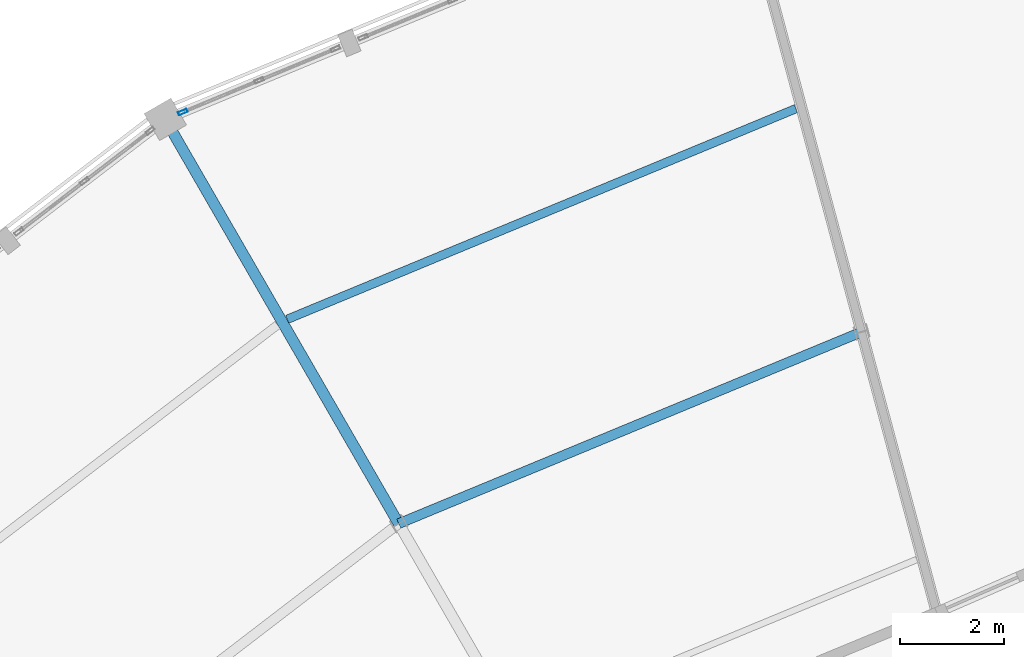
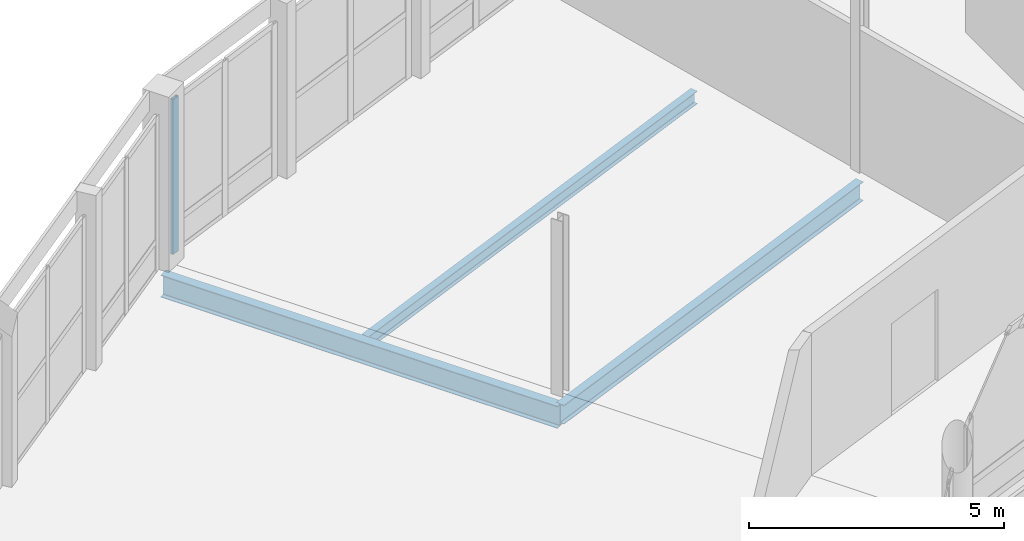
# One storey, part 86 of 185: 3 beams, 1 member, 1 element without a shape of its own.
"""IFC4 building model written with IfcOpenShell, lengths in metres."""

from ifc_helpers import new_model, si_unit, direction, frame, origin, origin_2d, place, context, subcontext, project, spatial, hollow_rectangle, i_section, extrude, material, material_profile, profile_set, type_object, element, aggregate, save


model = new_model("IFC4")

# Units and contexts
model_context = context("Model", 3, precision=1e-05, world=origin(), true_north=direction((0.0, 1.0)))
body_context = subcontext(model_context, "Body", "Model", "MODEL_VIEW")
ifc_project = project(units=[si_unit("LENGTHUNIT", "METRE"), si_unit("AREAUNIT", "SQUARE_METRE"), si_unit("VOLUMEUNIT", "CUBIC_METRE"), si_unit("PLANEANGLEUNIT", "RADIAN"), si_unit("MASSUNIT", "GRAM", prefix="KILO")], contexts=[model_context])

# Site, building, storey
site_placement = place(None, origin())
site = spatial("IfcSite", under=ifc_project, at=site_placement, CompositionType="ELEMENT")
building_placement = place(site_placement, origin())
building = spatial("IfcBuilding", under=site, at=building_placement, Name="Vondelvale Polytechnic", CompositionType="ELEMENT")
storey_placement = place(building_placement, frame((0.0, 0.0, 9.60009765625)))
storey = spatial("IfcBuildingStorey", under=building, at=storey_placement, Name="L02", CompositionType="ELEMENT", Elevation=9.60009765625)

# Beams
ifc_material_1 = material(Name="Steel 300PLUS (fy = 300 MPa)", Category="steel")
ifc_material_profile_1 = material_profile(ifc_material_1, i_section(OverallWidth=0.18994140625, OverallDepth=0.4541015625, WebThickness=0.008544921875, FlangeThickness=0.0126953125, FilletRadius=0.011474609375, at=origin_2d()), Name="460UB67.1")
ifc_profile_set_1 = profile_set([ifc_material_profile_1], Name="Steel 300PLUS (fy = 300 MPa)")
beam_type_1 = type_object("IfcBeamType", Name="BM-UB460L", PredefinedType="BEAM", material=ifc_profile_set_1)
beam_1_placement = place(storey_placement, frame((92.423583984375, 107.7392578125, -0.507080078125), z_axis=(-0.923878816854, -0.38268516011, 0.0), x_axis=(0.38268516011, -0.923878816854, 0.0)))
element("IfcBeam", 1, at=beam_1_placement, inside=storey, type_object=beam_type_1, Name="L02 RB B-22", PredefinedType="BEAM", context=body_context, shape_type="SweptSolid", body=[
    extrude(i_section(OverallWidth=0.18994140625, OverallDepth=0.4541015625, WebThickness=0.008544921875, FlangeThickness=0.0126953125, FilletRadius=0.011474609375, at=origin_2d()), origin(), (0.0, 0.0, 1.0), 9.658935546875),
])
ifc_material_profile_2 = material_profile(ifc_material_1, i_section(OverallWidth=0.208984375, OverallDepth=0.532958984375, WebThickness=0.01025390625, FlangeThickness=0.015625, FilletRadius=0.013916015625, at=origin_2d()), Name="530UB92.4")
ifc_profile_set_2 = profile_set([ifc_material_profile_2], Name="Steel 300PLUS (fy = 300 MPa)")
beam_type_2 = type_object("IfcBeamType", Name="BM-UB530", PredefinedType="BEAM", material=ifc_profile_set_2)
beam_2_placement = place(storey_placement, frame((83.5, 104.04296875, -0.546630859375), z_axis=(-0.5000018851, 0.866024315419, 0.0), x_axis=(-0.866024315419, -0.5000018851, 0.0)))
element("IfcBeam", 2, at=beam_2_placement, inside=storey, type_object=beam_type_2, Name="L02 RG B-11", PredefinedType="BEAM", context=body_context, shape_type="SweptSolid", body=[
    extrude(i_section(OverallWidth=0.208984375, OverallDepth=0.532958984375, WebThickness=0.01025390625, FlangeThickness=0.015625, FilletRadius=0.013916015625, at=origin_2d()), origin(), (0.0, 0.0, 1.0), 9.0),
])

# Curtain wall, member
ifc_material_2 = material(Name="Glulam GL18 structural Tasmanian oak (fb = 42 MPa)", Category="wood")
curtain_wall_type = type_object("IfcCurtainWallType", Name="CW-RING-OUTER", PredefinedType="NOTDEFINED", material=ifc_material_2)
curtain_wall_placement = place(storey_placement, origin())
curtain_wall = element("IfcCurtainWall", 3, at=curtain_wall_placement, inside=storey, type_object=curtain_wall_type, Name="L02 architectural curtain wall CW-04-182", PredefinedType="NOTDEFINED")
ifc_material_3 = material(Name="Anodised extruded aluminium 6063-T6", Category="aluminium")
ifc_material_profile_3 = material_profile(ifc_material_3, hollow_rectangle(XDim=0.06494140625, YDim=0.179931640625, WallThickness=0.00390625, at=origin_2d()), Name="CW-MUL-180x65")
ifc_profile_set_3 = profile_set([ifc_material_profile_3], Name="Anodised extruded aluminium 6063-T6")
member_type = type_object("IfcMemberType", Name="CW-MUL-65x180", PredefinedType="MULLION", material=ifc_profile_set_3)
member_placement = place(storey_placement, frame((79.33740234375, 111.97705078125, 0.0), z_axis=(0.0, 0.0, 1.0), x_axis=(0.382677394529, -0.923882033442, 0.0)))
member = element("IfcMember", 4, at=member_placement, type_object=member_type, Name="CW-04-182 mullion 3", PredefinedType="MULLION", context=body_context, shape_type="SweptSolid", body=[
    extrude(hollow_rectangle(XDim=0.06494140625, YDim=0.179931640625, WallThickness=0.00390625, at=origin_2d()), origin(), (0.0, 0.0, 1.0), 3.719970703125),
])
aggregate(curtain_wall, [member])

# Beam
ifc_material_profile_4 = material_profile(ifc_material_1, i_section(OverallWidth=0.1650390625, OverallDepth=0.303955078125, WebThickness=0.006103515625, FlangeThickness=0.01025390625, FilletRadius=0.011474609375, at=origin_2d()), Name="310UB40.4")
ifc_profile_set_4 = profile_set([ifc_material_profile_4], Name="Steel 300PLUS (fy = 300 MPa)")
beam_type_3 = type_object("IfcBeamType", Name="JST-UB310", PredefinedType="JOIST", material=ifc_profile_set_4)
beam_3_placement = place(storey_placement, frame((91.157470703125, 112.043701171875, -0.43212890625), z_axis=(-0.923886751865, -0.382666002839, 0.0), x_axis=(0.382666002839, -0.923886751865, 0.0)))
element("IfcBeam", 5, at=beam_3_placement, inside=storey, type_object=beam_type_3, Name="L02 RJ J-05", PredefinedType="JOIST", context=body_context, shape_type="SweptSolid", body=[
    extrude(i_section(OverallWidth=0.1650390625, OverallDepth=0.303955078125, WebThickness=0.006103515625, FlangeThickness=0.01025390625, FilletRadius=0.011474609375, at=origin_2d()), origin(), (0.0, 0.0, 1.0), 10.61376953125),
])

save(model, "model.ifc")
